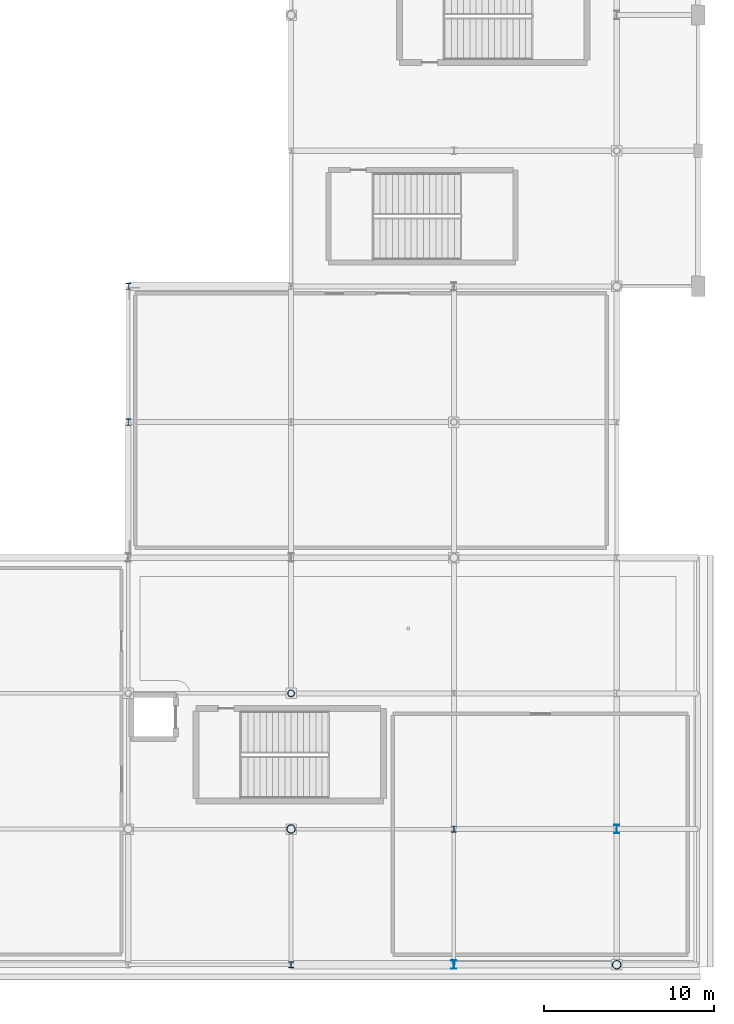
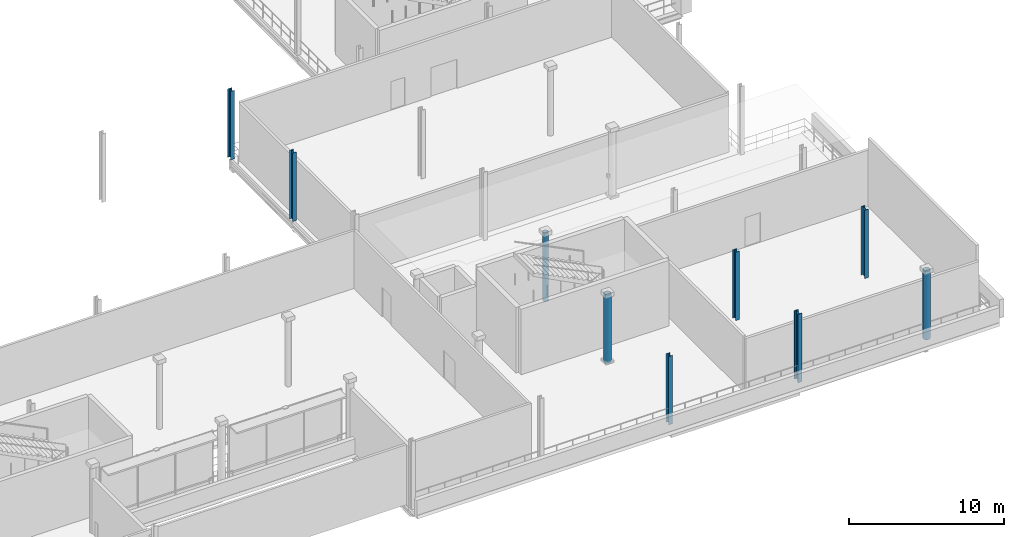
# One storey, part 15 of 129: 9 columns.
"""IFC4 building model written with IfcOpenShell, lengths in metres."""

from ifc_helpers import new_model, si_unit, direction, frame, origin, origin_2d, place, context, subcontext, project, spatial, hollow_circle, i_section, extrude, material, material_profile, profile_set, type_object, element, save


model = new_model("IFC4")

# Units and contexts
model_context = context("Model", 3, precision=1e-05, world=origin(), true_north=direction((0.0, 1.0)))
body_context = subcontext(model_context, "Body", "Model", "MODEL_VIEW")
ifc_project = project(units=[si_unit("LENGTHUNIT", "METRE"), si_unit("AREAUNIT", "SQUARE_METRE"), si_unit("VOLUMEUNIT", "CUBIC_METRE"), si_unit("PLANEANGLEUNIT", "RADIAN"), si_unit("MASSUNIT", "GRAM", prefix="KILO")], contexts=[model_context])

# Site, building, storey
site_placement = place(None, origin())
site = spatial("IfcSite", under=ifc_project, at=site_placement, CompositionType="ELEMENT")
building_placement = place(site_placement, origin())
building = spatial("IfcBuilding", under=site, at=building_placement, Name="Danafjord Basin Convention Centre", CompositionType="ELEMENT")
storey_placement = place(building_placement, frame((0.0, 0.0, 6.0)))
storey = spatial("IfcBuildingStorey", under=building, at=storey_placement, Name="L01", CompositionType="ELEMENT", Elevation=6.0)

# Columns
ifc_material = material(Name="Steel S355", Category="steel")
ifc_material_profile_1 = material_profile(ifc_material, hollow_circle(Radius=0.203125, WallThickness=0.02001953125, at=origin_2d()), Name="CHS 406.4x20.0")
ifc_profile_set_1 = profile_set([ifc_material_profile_1], Name="Steel S355")
column_type_1 = type_object("IfcColumnType", Name="COL-C-CHS406", PredefinedType="COLUMN", material=ifc_profile_set_1)
column_1_placement = place(storey_placement, frame((192.0, 16.0, 0.0), z_axis=(0.0, 0.0, 1.0), x_axis=(1.0, 0.0, 0.0)))
element("IfcColumn", 1, at=column_1_placement, inside=storey, type_object=column_type_1, Name="L01 column C-CHS406 at (192.0, 16.0)", PredefinedType="COLUMN", context=body_context, shape_type="SweptSolid", body=[
    extrude(hollow_circle(Radius=0.203125, WallThickness=0.02001953125, at=origin_2d()), origin(), (0.0, 0.0, 1.0), 5.39990234375),
])
ifc_material_profile_2 = material_profile(ifc_material, hollow_circle(Radius=0.25390625, WallThickness=0.02490234375, at=origin_2d()), Name="CHS 508.0x25.0")
ifc_profile_set_2 = profile_set([ifc_material_profile_2], Name="Steel S355")
column_type_2 = type_object("IfcColumnType", Name="COL-C-CHS508", PredefinedType="COLUMN", material=ifc_profile_set_2)
for number, where, z_axis, x_axis, name in (
    (2, (192.0, 8.0, 0.0), (0.0, 0.0, 1.0), (1.0, 0.0, 0.0), "L01 column C-CHS508 at (192.0, 8.0)"),
    (3, (211.199951171875, 0.0, 0.0), (0.0, 0.0, 1.0), (1.0, 0.0, 0.0), "L01 column C-CHS508 at (211.2, 0.0)"),
):
    element("IfcColumn", number, at=place(storey_placement, frame(where, z_axis=z_axis, x_axis=x_axis)), inside=storey, type_object=column_type_2, Name=name, PredefinedType="COLUMN", context=body_context, shape_type="SweptSolid", body=[
        extrude(hollow_circle(Radius=0.25390625, WallThickness=0.02490234375, at=origin_2d()), origin(), (0.0, 0.0, 1.0), 5.39990234375),
    ])
ifc_material_profile_3 = material_profile(ifc_material, i_section(OverallWidth=0.300048828125, OverallDepth=0.360107421875, WebThickness=0.012451171875, FlangeThickness=0.0224609375, FilletRadius=0.027099609375, at=origin_2d()), Name="HEB 360")
ifc_profile_set_3 = profile_set([ifc_material_profile_3], Name="Steel S355")
column_type_3 = type_object("IfcColumnType", Name="COL-C-HEB360", PredefinedType="COLUMN", material=ifc_profile_set_3)
for number, where, z_axis, x_axis, name in (
    (4, (182.39990234375, 40.0, 0.0), (0.0, 0.0, 1.0), (1.0, 0.0, 0.0), "L01 column C-HEB360 at (182.4, 40.0)"),
    (5, (192.0, 0.0, 0.0), (0.0, 0.0, 1.0), (1.0, 0.0, 0.0), "L01 column C-HEB360 at (192.0, 0.0)"),
    (6, (201.60009765625, 8.0, 0.0), (0.0, 0.0, 1.0), (1.0, 0.0, 0.0), "L01 column C-HEB360 at (201.6, 8.0)"),
):
    element("IfcColumn", number, at=place(storey_placement, frame(where, z_axis=z_axis, x_axis=x_axis)), inside=storey, type_object=column_type_3, Name=name, PredefinedType="COLUMN", context=body_context, shape_type="SweptSolid", body=[
        extrude(i_section(OverallWidth=0.300048828125, OverallDepth=0.360107421875, WebThickness=0.012451171875, FlangeThickness=0.0224609375, FilletRadius=0.027099609375, at=origin_2d()), origin(), (0.0, 0.0, 1.0), 5.39990234375),
    ])
ifc_material_profile_4 = material_profile(ifc_material, i_section(OverallWidth=0.300048828125, OverallDepth=0.39990234375, WebThickness=0.013427734375, FlangeThickness=0.02392578125, FilletRadius=0.027099609375, at=origin_2d()), Name="HEB 400")
ifc_profile_set_4 = profile_set([ifc_material_profile_4], Name="Steel S355")
column_type_4 = type_object("IfcColumnType", Name="COL-C-HEB400", PredefinedType="COLUMN", material=ifc_profile_set_4)
column_2_placement = place(storey_placement, frame((182.39990234375, 32.0, 0.0), z_axis=(0.0, 0.0, 1.0), x_axis=(1.0, 0.0, 0.0)))
element("IfcColumn", 7, at=column_2_placement, inside=storey, type_object=column_type_4, Name="L01 column C-HEB400 at (182.4, 32.0)", PredefinedType="COLUMN", context=body_context, shape_type="SweptSolid", body=[
    extrude(i_section(OverallWidth=0.300048828125, OverallDepth=0.39990234375, WebThickness=0.013427734375, FlangeThickness=0.02392578125, FilletRadius=0.027099609375, at=origin_2d()), origin(), (0.0, 0.0, 1.0), 5.39990234375),
])
ifc_material_profile_5 = material_profile(ifc_material, i_section(OverallWidth=0.300048828125, OverallDepth=0.5, WebThickness=0.014404296875, FlangeThickness=0.028076171875, FilletRadius=0.027099609375, at=origin_2d()), Name="HEB 500")
ifc_profile_set_5 = profile_set([ifc_material_profile_5], Name="Steel S355")
column_type_5 = type_object("IfcColumnType", Name="COL-C-HEB500", PredefinedType="COLUMN", material=ifc_profile_set_5)
for number, where, z_axis, x_axis, name in (
    (8, (201.60009765625, 0.0, 0.0), (0.0, 0.0, 1.0), (1.0, 0.0, 0.0), "L01 column C-HEB500 at (201.6, 0.0)"),
    (9, (211.199951171875, 8.0, 0.0), (0.0, 0.0, 1.0), (1.0, 0.0, 0.0), "L01 column C-HEB500 at (211.2, 8.0)"),
):
    element("IfcColumn", number, at=place(storey_placement, frame(where, z_axis=z_axis, x_axis=x_axis)), inside=storey, type_object=column_type_5, Name=name, PredefinedType="COLUMN", context=body_context, shape_type="SweptSolid", body=[
        extrude(i_section(OverallWidth=0.300048828125, OverallDepth=0.5, WebThickness=0.014404296875, FlangeThickness=0.028076171875, FilletRadius=0.027099609375, at=origin_2d()), origin(), (0.0, 0.0, 1.0), 5.39990234375),
    ])

save(model, "model.ifc")
